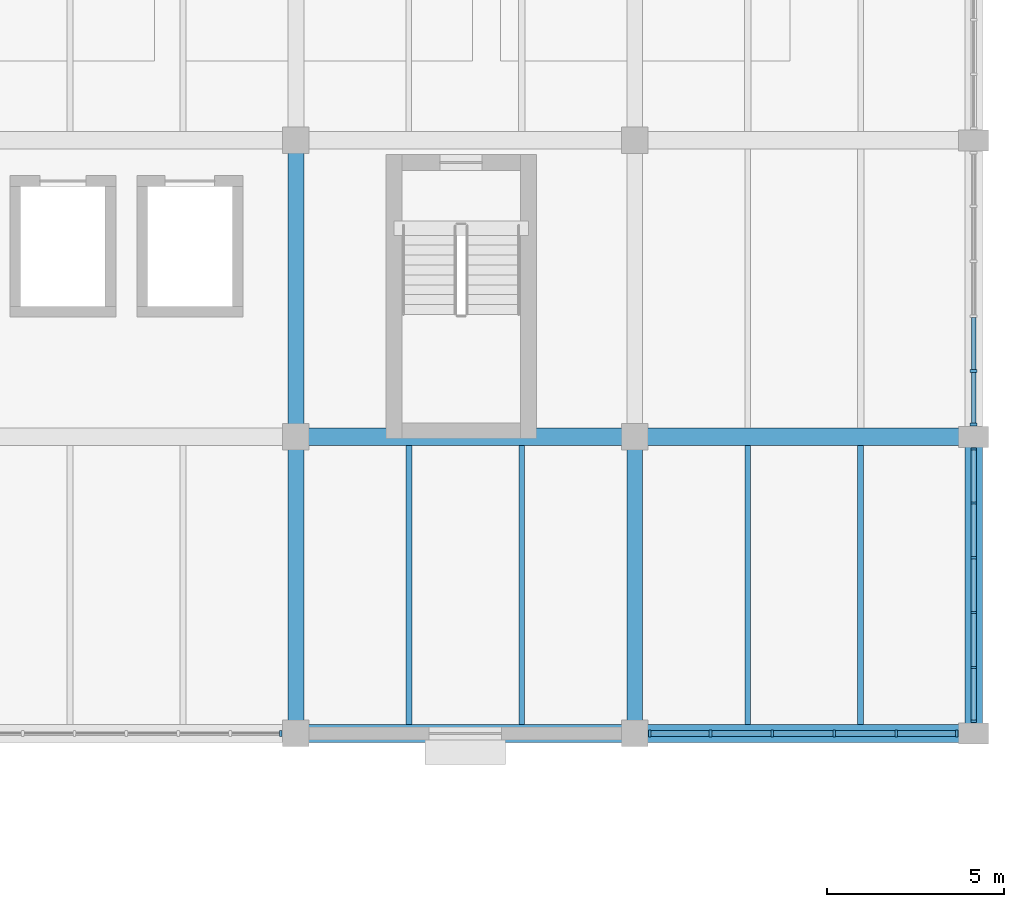
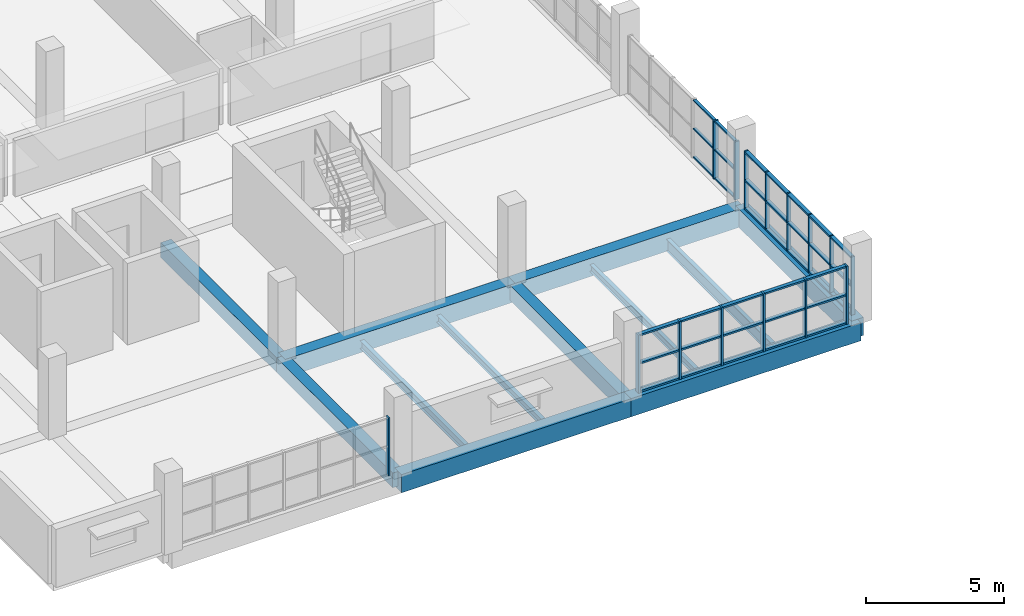
# One storey, part 83 of 147: 51 members, 12 beams, 4 elements without a shape of their own.
"""IFC4 building model written with IfcOpenShell, lengths in metres."""

from ifc_helpers import new_model, si_unit, direction, frame, origin, origin_2d, place, context, subcontext, project, spatial, rectangle, i_section, extrude, material, material_profile, profile_set, type_object, element, aggregate, save


model = new_model("IFC4")

# Units and contexts
model_context = context("Model", 3, precision=1e-05, world=origin(), true_north=direction((0.0, 1.0)))
body_context = subcontext(model_context, "Body", "Model", "MODEL_VIEW")
ifc_project = project(units=[si_unit("LENGTHUNIT", "METRE"), si_unit("AREAUNIT", "SQUARE_METRE"), si_unit("VOLUMEUNIT", "CUBIC_METRE"), si_unit("PLANEANGLEUNIT", "RADIAN"), si_unit("MASSUNIT", "GRAM", prefix="KILO")], contexts=[model_context])

# Site, building, storey
site_placement = place(None, origin())
site = spatial("IfcSite", under=ifc_project, at=site_placement, CompositionType="ELEMENT")
building_placement = place(site_placement, origin())
building = spatial("IfcBuilding", under=site, at=building_placement, Name="Oolite Switchyard Hospital", CompositionType="ELEMENT")
storey_placement = place(building_placement, frame((0.0, 0.0, 9.89990234375)))
storey = spatial("IfcBuildingStorey", under=building, at=storey_placement, Name="L02", CompositionType="ELEMENT", Elevation=9.89990234375)

# Beams
ifc_material_1 = material(Name="Concrete C40/50", Category="concrete")
ifc_material_profile_1 = material_profile(ifc_material_1, rectangle(XDim=0.449951171875, YDim=0.64990234375, at=origin_2d()), Name="RCB450X650")
ifc_profile_set_1 = profile_set([ifc_material_profile_1], Name="Concrete C40/50")
beam_type_1 = type_object("IfcBeamType", Name="BM-RC450X650", PredefinedType="BEAM", material=ifc_profile_set_1)
beam_1_placement = place(storey_placement, frame((192.0, 100.800048828125, -0.324951171875), z_axis=(0.0, 1.0, 0.0), x_axis=(-1.0, 0.0, 0.0)))
element("IfcBeam", 1, at=beam_1_placement, inside=storey, type_object=beam_type_1, Name="L02 Y-Girder 1487", PredefinedType="BEAM", context=body_context, shape_type="SweptSolid", body=[
    extrude(rectangle(XDim=0.449951171875, YDim=0.64990234375, at=origin_2d()), origin(), (0.0, 0.0, 1.0), 8.39990234375),
])
beam_2_placement = place(storey_placement, frame((192.0, 109.199951171875, -0.324951171875), z_axis=(0.0, 1.0, 0.0), x_axis=(-1.0, 0.0, 0.0)))
element("IfcBeam", 2, at=beam_2_placement, inside=storey, type_object=beam_type_1, Name="L02 Y-Girder 1488", PredefinedType="BEAM", context=body_context, shape_type="SweptSolid", body=[
    extrude(rectangle(XDim=0.449951171875, YDim=0.64990234375, at=origin_2d()), origin(), (0.0, 0.0, 1.0), 8.400146484375),
])
beam_3_placement = place(storey_placement, frame((201.60009765625, 100.800048828125, -0.324951171875), z_axis=(0.0, 1.0, 0.0), x_axis=(-1.0, 0.0, 0.0)))
element("IfcBeam", 3, at=beam_3_placement, inside=storey, type_object=beam_type_1, Name="L02 Y-Girder 1499", PredefinedType="BEAM", context=body_context, shape_type="SweptSolid", body=[
    extrude(rectangle(XDim=0.449951171875, YDim=0.64990234375, at=origin_2d()), origin(), (0.0, 0.0, 1.0), 8.39990234375),
])
ifc_material_profile_2 = material_profile(ifc_material_1, rectangle(XDim=0.5, YDim=0.800048828125, at=origin_2d()), Name="RCB500X800")
ifc_profile_set_2 = profile_set([ifc_material_profile_2], Name="Concrete C40/50")
beam_type_2 = type_object("IfcBeamType", Name="BM-RC500X800", PredefinedType="BEAM", material=ifc_profile_set_2)
beam_4_placement = place(storey_placement, frame((192.0, 100.800048828125, -0.39990234375), z_axis=(1.0, 0.0, 0.0), x_axis=(0.0, 1.0, 0.0)))
element("IfcBeam", 4, at=beam_4_placement, inside=storey, type_object=beam_type_2, Name="L02 X-Girder 1179", PredefinedType="BEAM", context=body_context, shape_type="SweptSolid", body=[
    extrude(rectangle(XDim=0.5, YDim=0.800048828125, at=origin_2d()), origin(), (0.0, 0.0, 1.0), 9.60009765625),
])
beam_5_placement = place(storey_placement, frame((201.60009765625, 100.800048828125, -0.39990234375), z_axis=(1.0, 0.0, 0.0), x_axis=(0.0, 1.0, 0.0)))
element("IfcBeam", 5, at=beam_5_placement, inside=storey, type_object=beam_type_2, Name="L02 X-Girder 1180", PredefinedType="BEAM", context=body_context, shape_type="SweptSolid", body=[
    extrude(rectangle(XDim=0.5, YDim=0.800048828125, at=origin_2d()), origin(), (0.0, 0.0, 1.0), 9.599853515625),
])
beam_6_placement = place(storey_placement, frame((192.0, 109.199951171875, -0.39990234375), z_axis=(1.0, 0.0, 0.0), x_axis=(0.0, 1.0, 0.0)))
element("IfcBeam", 6, at=beam_6_placement, inside=storey, type_object=beam_type_2, Name="L02 X-Girder 1201", PredefinedType="BEAM", context=body_context, shape_type="SweptSolid", body=[
    extrude(rectangle(XDim=0.5, YDim=0.800048828125, at=origin_2d()), origin(), (0.0, 0.0, 1.0), 9.60009765625),
])
beam_7_placement = place(storey_placement, frame((201.60009765625, 109.199951171875, -0.39990234375), z_axis=(1.0, 0.0, 0.0), x_axis=(0.0, 1.0, 0.0)))
element("IfcBeam", 7, at=beam_7_placement, inside=storey, type_object=beam_type_2, Name="L02 X-Girder 1202", PredefinedType="BEAM", context=body_context, shape_type="SweptSolid", body=[
    extrude(rectangle(XDim=0.5, YDim=0.800048828125, at=origin_2d()), origin(), (0.0, 0.0, 1.0), 9.599853515625),
])
beam_8_placement = place(storey_placement, frame((211.199951171875, 100.800048828125, -0.39990234375), z_axis=(0.0, 1.0, 0.0), x_axis=(-1.0, 0.0, 0.0)))
element("IfcBeam", 8, at=beam_8_placement, inside=storey, type_object=beam_type_2, Name="L02 Y-Girder 1508", PredefinedType="BEAM", context=body_context, shape_type="SweptSolid", body=[
    extrude(rectangle(XDim=0.5, YDim=0.800048828125, at=origin_2d()), origin(), (0.0, 0.0, 1.0), 8.39990234375),
])
ifc_material_2 = material(Name="Steel ASTM A992 Grade 50", Category="steel")
ifc_material_profile_3 = material_profile(ifc_material_2, i_section(OverallWidth=0.1650390625, OverallDepth=0.31005859375, WebThickness=0.006103515625, FlangeThickness=0.010009765625, at=origin_2d()), Name="W12X26")
ifc_profile_set_3 = profile_set([ifc_material_profile_3], Name="Steel ASTM A992 Grade 50")
beam_type_3 = type_object("IfcBeamType", Name="BM-W12X26", PredefinedType="JOIST", material=ifc_profile_set_3)
for number, where, z_axis, x_axis, name in (
    (9, (198.39990234375, 101.050048828125, -0.414794921875), (0.0, 1.0, 0.0), (-1.0, 0.0, 0.0), "L02 Secondary Steel Joist 1905"),
    (10, (204.800048828125, 101.050048828125, -0.414794921875), (0.0, 1.0, 0.0), (-1.0, 0.0, 0.0), "L02 Secondary Steel Joist 1918"),
):
    element("IfcBeam", number, at=place(storey_placement, frame(where, z_axis=z_axis, x_axis=x_axis)), inside=storey, type_object=beam_type_3, Name=name, PredefinedType="JOIST", context=body_context, shape_type="SweptSolid", body=[
        extrude(i_section(OverallWidth=0.1650390625, OverallDepth=0.31005859375, WebThickness=0.006103515625, FlangeThickness=0.010009765625, at=origin_2d()), origin(), (0.0, 0.0, 1.0), 7.89990234375),
    ])
ifc_material_profile_4 = material_profile(ifc_material_2, i_section(OverallWidth=0.1708984375, OverallDepth=0.35107421875, WebThickness=0.007080078125, FlangeThickness=0.010009765625, at=origin_2d()), Name="W14X30")
ifc_profile_set_4 = profile_set([ifc_material_profile_4], Name="Steel ASTM A992 Grade 50")
beam_type_4 = type_object("IfcBeamType", Name="BM-W14X30", PredefinedType="JOIST", material=ifc_profile_set_4)
beam_9_placement = place(storey_placement, frame((195.199951171875, 101.050048828125, -0.434814453125), z_axis=(0.0, 1.0, 0.0), x_axis=(-1.0, 0.0, 0.0)))
element("IfcBeam", 11, at=beam_9_placement, inside=storey, type_object=beam_type_4, Name="L02 Secondary Steel Joist 1904", PredefinedType="JOIST", context=body_context, shape_type="SweptSolid", body=[
    extrude(i_section(OverallWidth=0.1708984375, OverallDepth=0.35107421875, WebThickness=0.007080078125, FlangeThickness=0.010009765625, at=origin_2d()), origin(), (0.0, 0.0, 1.0), 7.89990234375),
])
ifc_material_profile_5 = material_profile(ifc_material_2, i_section(OverallWidth=0.166015625, OverallDepth=0.529052734375, WebThickness=0.010009765625, FlangeThickness=0.013916015625, at=origin_2d()), Name="W21X50")
ifc_profile_set_5 = profile_set([ifc_material_profile_5], Name="Steel ASTM A992 Grade 50")
beam_type_5 = type_object("IfcBeamType", Name="BM-W21X50", PredefinedType="JOIST", material=ifc_profile_set_5)
beam_10_placement = place(storey_placement, frame((208.0, 101.050048828125, -0.52392578125), z_axis=(0.0, 1.0, 0.0), x_axis=(-1.0, 0.0, 0.0)))
element("IfcBeam", 12, at=beam_10_placement, inside=storey, type_object=beam_type_5, Name="L02 Secondary Steel Joist 1919", PredefinedType="JOIST", context=body_context, shape_type="SweptSolid", body=[
    extrude(i_section(OverallWidth=0.166015625, OverallDepth=0.529052734375, WebThickness=0.010009765625, FlangeThickness=0.013916015625, at=origin_2d()), origin(), (0.0, 0.0, 1.0), 7.89990234375),
])

# Curtain wall, members
ifc_material_3 = material(Name="Thermally broken aluminum frame with laminated impact glazing", Category="aluminium")
curtain_wall_type_1 = type_object("IfcCurtainWallType", Name="CW-UNIT-84X36", PredefinedType="USERDEFINED", material=ifc_material_3)
curtain_wall_1_placement = place(storey_placement, origin())
curtain_wall_1 = element("IfcCurtainWall", 13, at=curtain_wall_1_placement, inside=storey, type_object=curtain_wall_type_1, Name="L02 Unitised Curtain Wall 325", ObjectType="UNITISED", PredefinedType="USERDEFINED")
ifc_material_4 = material(Name="Aluminium 6063-T6", Category="aluminium")
ifc_material_profile_6 = material_profile(ifc_material_4, rectangle(XDim=0.159912109375, YDim=0.06005859375, at=origin_2d()), Name="CWM60X160")
ifc_profile_set_6 = profile_set([ifc_material_profile_6], Name="Aluminium 6063-T6")
member_type_1 = type_object("IfcMemberType", Name="CW-MUL-180", PredefinedType="MULLION", material=ifc_profile_set_6)
member_1_placement = place(storey_placement, frame((211.199951171875, 108.85498046875, 0.0), z_axis=(0.0, 0.0, 1.0), x_axis=(1.0, 0.0, 0.0)))
member_1 = element("IfcMember", 14, at=member_1_placement, type_object=member_type_1, Name="CW-08 mullion 1", PredefinedType="MULLION", context=body_context, shape_type="SweptSolid", body=[
    extrude(rectangle(XDim=0.159912109375, YDim=0.06005859375, at=origin_2d()), origin(), (0.0, 0.0, 1.0), 2.570068359375),
])
member_2_placement = place(storey_placement, frame((211.199951171875, 107.3310546875, 0.0), z_axis=(0.0, 0.0, 1.0), x_axis=(1.0, 0.0, 0.0)))
member_2 = element("IfcMember", 15, at=member_2_placement, type_object=member_type_1, Name="CW-08 mullion 2", PredefinedType="MULLION", context=body_context, shape_type="SweptSolid", body=[
    extrude(rectangle(XDim=0.159912109375, YDim=0.06005859375, at=origin_2d()), origin(), (0.0, 0.0, 1.0), 2.570068359375),
])
member_3_placement = place(storey_placement, frame((211.199951171875, 105.777099609375, 0.0), z_axis=(0.0, 0.0, 1.0), x_axis=(1.0, 0.0, 0.0)))
member_3 = element("IfcMember", 16, at=member_3_placement, type_object=member_type_1, Name="CW-08 mullion 3", PredefinedType="MULLION", context=body_context, shape_type="SweptSolid", body=[
    extrude(rectangle(XDim=0.159912109375, YDim=0.06005859375, at=origin_2d()), origin(), (0.0, 0.0, 1.0), 2.570068359375),
])
member_4_placement = place(storey_placement, frame((211.199951171875, 104.222900390625, 0.0), z_axis=(0.0, 0.0, 1.0), x_axis=(1.0, 0.0, 0.0)))
member_4 = element("IfcMember", 17, at=member_4_placement, type_object=member_type_1, Name="CW-08 mullion 4", PredefinedType="MULLION", context=body_context, shape_type="SweptSolid", body=[
    extrude(rectangle(XDim=0.159912109375, YDim=0.06005859375, at=origin_2d()), origin(), (0.0, 0.0, 1.0), 2.570068359375),
])
member_5_placement = place(storey_placement, frame((211.199951171875, 102.6689453125, 0.0), z_axis=(0.0, 0.0, 1.0), x_axis=(1.0, 0.0, 0.0)))
member_5 = element("IfcMember", 18, at=member_5_placement, type_object=member_type_1, Name="CW-08 mullion 5", PredefinedType="MULLION", context=body_context, shape_type="SweptSolid", body=[
    extrude(rectangle(XDim=0.159912109375, YDim=0.06005859375, at=origin_2d()), origin(), (0.0, 0.0, 1.0), 2.570068359375),
])
member_6_placement = place(storey_placement, frame((211.199951171875, 101.14501953125, 0.0), z_axis=(0.0, 0.0, 1.0), x_axis=(1.0, 0.0, 0.0)))
member_6 = element("IfcMember", 19, at=member_6_placement, type_object=member_type_1, Name="CW-08 mullion 6", PredefinedType="MULLION", context=body_context, shape_type="SweptSolid", body=[
    extrude(rectangle(XDim=0.159912109375, YDim=0.06005859375, at=origin_2d()), origin(), (0.0, 0.0, 1.0), 2.570068359375),
])

# Curtain wall, member
curtain_wall_type_2 = type_object("IfcCurtainWallType", Name="CW-UNIT-96X36", PredefinedType="USERDEFINED", material=ifc_material_3)
curtain_wall_2_placement = place(storey_placement, origin())
curtain_wall_2 = element("IfcCurtainWall", 20, at=curtain_wall_2_placement, inside=storey, type_object=curtain_wall_type_2, Name="L02 Unitised Curtain Wall 260", ObjectType="UNITISED", PredefinedType="USERDEFINED")
ifc_material_profile_7 = material_profile(ifc_material_4, rectangle(XDim=0.179931640625, YDim=0.070068359375, at=origin_2d()), Name="CWM70X180")
ifc_profile_set_7 = profile_set([ifc_material_profile_7], Name="Aluminium 6063-T6")
member_type_2 = type_object("IfcMemberType", Name="CW-MUL-220", PredefinedType="MULLION", material=ifc_profile_set_7)
member_7_placement = place(storey_placement, frame((191.574951171875, 100.800048828125, 0.0), z_axis=(0.0, 0.0, 1.0), x_axis=(0.0, -1.0, 0.0)))
member_7 = element("IfcMember", 21, at=member_7_placement, type_object=member_type_2, Name="CW-03 mullion 1", PredefinedType="MULLION", context=body_context, shape_type="SweptSolid", body=[
    extrude(rectangle(XDim=0.179931640625, YDim=0.070068359375, at=origin_2d()), origin(), (0.0, 0.0, 1.0), 2.570068359375),
])
aggregate(curtain_wall_2, [member_7])

# Curtain wall, members
curtain_wall_3_placement = place(storey_placement, origin())
curtain_wall_3 = element("IfcCurtainWall", 22, at=curtain_wall_3_placement, inside=storey, type_object=curtain_wall_type_2, Name="L02 Unitised Curtain Wall 261", ObjectType="UNITISED", PredefinedType="USERDEFINED")
ifc_material_profile_8 = material_profile(ifc_material_4, rectangle(XDim=0.199951171875, YDim=0.074951171875, at=origin_2d()), Name="CWM75X200")
ifc_profile_set_8 = profile_set([ifc_material_profile_8], Name="Aluminium 6063-T6")
member_type_3 = type_object("IfcMemberType", Name="CW-MUL-260", PredefinedType="MULLION", material=ifc_profile_set_8)
member_8_placement = place(storey_placement, frame((210.722412109375, 100.800048828125, 0.0), z_axis=(0.0, 0.0, 1.0), x_axis=(0.0, -1.0, 0.0)))
member_8 = element("IfcMember", 23, at=member_8_placement, type_object=member_type_3, Name="CW-03 mullion 1", PredefinedType="MULLION", context=body_context, shape_type="SweptSolid", body=[
    extrude(rectangle(XDim=0.199951171875, YDim=0.074951171875, at=origin_2d()), origin(), (0.0, 0.0, 1.0), 2.570068359375),
])
member_9_placement = place(storey_placement, frame((209.006103515625, 100.800048828125, 0.0), z_axis=(0.0, 0.0, 1.0), x_axis=(0.0, -1.0, 0.0)))
member_9 = element("IfcMember", 24, at=member_9_placement, type_object=member_type_3, Name="CW-03 mullion 2", PredefinedType="MULLION", context=body_context, shape_type="SweptSolid", body=[
    extrude(rectangle(XDim=0.199951171875, YDim=0.074951171875, at=origin_2d()), origin(), (0.0, 0.0, 1.0), 2.570068359375),
])
member_10_placement = place(storey_placement, frame((207.251953125, 100.800048828125, 0.0), z_axis=(0.0, 0.0, 1.0), x_axis=(0.0, -1.0, 0.0)))
member_10 = element("IfcMember", 25, at=member_10_placement, type_object=member_type_3, Name="CW-03 mullion 3", PredefinedType="MULLION", context=body_context, shape_type="SweptSolid", body=[
    extrude(rectangle(XDim=0.199951171875, YDim=0.074951171875, at=origin_2d()), origin(), (0.0, 0.0, 1.0), 2.570068359375),
])
member_11_placement = place(storey_placement, frame((205.498046875, 100.800048828125, 0.0), z_axis=(0.0, 0.0, 1.0), x_axis=(0.0, -1.0, 0.0)))
member_11 = element("IfcMember", 26, at=member_11_placement, type_object=member_type_3, Name="CW-03 mullion 4", PredefinedType="MULLION", context=body_context, shape_type="SweptSolid", body=[
    extrude(rectangle(XDim=0.199951171875, YDim=0.074951171875, at=origin_2d()), origin(), (0.0, 0.0, 1.0), 2.570068359375),
])
member_12_placement = place(storey_placement, frame((203.743896484375, 100.800048828125, 0.0), z_axis=(0.0, 0.0, 1.0), x_axis=(0.0, -1.0, 0.0)))
member_12 = element("IfcMember", 27, at=member_12_placement, type_object=member_type_3, Name="CW-03 mullion 5", PredefinedType="MULLION", context=body_context, shape_type="SweptSolid", body=[
    extrude(rectangle(XDim=0.199951171875, YDim=0.074951171875, at=origin_2d()), origin(), (0.0, 0.0, 1.0), 2.570068359375),
])
member_13_placement = place(storey_placement, frame((202.027587890625, 100.800048828125, 0.0), z_axis=(0.0, 0.0, 1.0), x_axis=(0.0, -1.0, 0.0)))
member_13 = element("IfcMember", 28, at=member_13_placement, type_object=member_type_3, Name="CW-03 mullion 6", PredefinedType="MULLION", context=body_context, shape_type="SweptSolid", body=[
    extrude(rectangle(XDim=0.199951171875, YDim=0.074951171875, at=origin_2d()), origin(), (0.0, 0.0, 1.0), 2.570068359375),
])

curtain_wall_4_placement = place(storey_placement, origin())
curtain_wall_4 = element("IfcCurtainWall", 29, at=curtain_wall_4_placement, inside=storey, type_object=curtain_wall_type_1, Name="L02 Unitised Curtain Wall 324", ObjectType="UNITISED", PredefinedType="USERDEFINED")
member_14_placement = place(storey_placement, frame((211.199951171875, 111.069091796875, 0.0), z_axis=(0.0, 0.0, 1.0), x_axis=(1.0, 0.0, 0.0)))
member_14 = element("IfcMember", 30, at=member_14_placement, type_object=member_type_3, Name="CW-08 mullion 5", PredefinedType="MULLION", context=body_context, shape_type="SweptSolid", body=[
    extrude(rectangle(XDim=0.199951171875, YDim=0.074951171875, at=origin_2d()), origin(), (0.0, 0.0, 1.0), 2.570068359375),
])
member_15_placement = place(storey_placement, frame((211.199951171875, 109.552490234375, 0.0), z_axis=(0.0, 0.0, 1.0), x_axis=(1.0, 0.0, 0.0)))
member_15 = element("IfcMember", 31, at=member_15_placement, type_object=member_type_3, Name="CW-08 mullion 6", PredefinedType="MULLION", context=body_context, shape_type="SweptSolid", body=[
    extrude(rectangle(XDim=0.199951171875, YDim=0.074951171875, at=origin_2d()), origin(), (0.0, 0.0, 1.0), 2.570068359375),
])
ifc_material_profile_9 = material_profile(ifc_material_4, rectangle(XDim=0.1201171875, YDim=0.06005859375, at=origin_2d()), Name="CWT60X120")
ifc_profile_set_9 = profile_set([ifc_material_profile_9], Name="Aluminium 6063-T6")
member_type_4 = type_object("IfcMemberType", Name="CW-TRN-150", PredefinedType="USERDEFINED", material=ifc_profile_set_9)
member_16_placement = place(storey_placement, frame((211.199951171875, 112.58544921875, 0.030029296875), z_axis=(0.0, -1.0, 0.0), x_axis=(1.0, 0.0, 0.0)))
member_16 = element("IfcMember", 32, at=member_16_placement, type_object=member_type_4, Name="CW-08 transom 4.1", ObjectType="TRANSOM", PredefinedType="USERDEFINED", context=body_context, shape_type="SweptSolid", body=[
    extrude(rectangle(XDim=0.1201171875, YDim=0.06005859375, at=origin_2d()), origin(), (0.0, 0.0, 1.0), 1.47900390625),
])
member_17_placement = place(storey_placement, frame((211.199951171875, 112.58544921875, 1.28515625), z_axis=(0.0, -1.0, 0.0), x_axis=(1.0, 0.0, 0.0)))
member_17 = element("IfcMember", 33, at=member_17_placement, type_object=member_type_4, Name="CW-08 transom 4.2", ObjectType="TRANSOM", PredefinedType="USERDEFINED", context=body_context, shape_type="SweptSolid", body=[
    extrude(rectangle(XDim=0.1201171875, YDim=0.06005859375, at=origin_2d()), origin(), (0.0, 0.0, 1.0), 1.47900390625),
])
member_18_placement = place(storey_placement, frame((211.199951171875, 112.58544921875, 2.5400390625), z_axis=(0.0, -1.0, 0.0), x_axis=(1.0, 0.0, 0.0)))
member_18 = element("IfcMember", 34, at=member_18_placement, type_object=member_type_4, Name="CW-08 transom 4.3", ObjectType="TRANSOM", PredefinedType="USERDEFINED", context=body_context, shape_type="SweptSolid", body=[
    extrude(rectangle(XDim=0.1201171875, YDim=0.06005859375, at=origin_2d()), origin(), (0.0, 0.0, 1.0), 1.47900390625),
])
member_19_placement = place(storey_placement, frame((211.199951171875, 111.031494140625, 0.030029296875), z_axis=(0.0, -1.0, 0.0), x_axis=(1.0, 0.0, 0.0)))
member_19 = element("IfcMember", 35, at=member_19_placement, type_object=member_type_4, Name="CW-08 transom 5.1", ObjectType="TRANSOM", PredefinedType="USERDEFINED", context=body_context, shape_type="SweptSolid", body=[
    extrude(rectangle(XDim=0.1201171875, YDim=0.06005859375, at=origin_2d()), origin(), (0.0, 0.0, 1.0), 1.44140625),
])
member_20_placement = place(storey_placement, frame((211.199951171875, 111.031494140625, 1.28515625), z_axis=(0.0, -1.0, 0.0), x_axis=(1.0, 0.0, 0.0)))
member_20 = element("IfcMember", 36, at=member_20_placement, type_object=member_type_4, Name="CW-08 transom 5.2", ObjectType="TRANSOM", PredefinedType="USERDEFINED", context=body_context, shape_type="SweptSolid", body=[
    extrude(rectangle(XDim=0.1201171875, YDim=0.06005859375, at=origin_2d()), origin(), (0.0, 0.0, 1.0), 1.44140625),
])
member_21_placement = place(storey_placement, frame((211.199951171875, 111.031494140625, 2.5400390625), z_axis=(0.0, -1.0, 0.0), x_axis=(1.0, 0.0, 0.0)))
member_21 = element("IfcMember", 37, at=member_21_placement, type_object=member_type_4, Name="CW-08 transom 5.3", ObjectType="TRANSOM", PredefinedType="USERDEFINED", context=body_context, shape_type="SweptSolid", body=[
    extrude(rectangle(XDim=0.1201171875, YDim=0.06005859375, at=origin_2d()), origin(), (0.0, 0.0, 1.0), 1.44140625),
])
aggregate(curtain_wall_4, [member_14, member_15, member_16, member_17, member_18, member_19, member_20, member_21])

# Member
ifc_material_profile_10 = material_profile(ifc_material_4, rectangle(XDim=0.159912109375, YDim=0.074951171875, at=origin_2d()), Name="CWT75X160")
ifc_profile_set_10 = profile_set([ifc_material_profile_10], Name="Aluminium 6063-T6")
member_type_5 = type_object("IfcMemberType", Name="CW-TRN-180", PredefinedType="USERDEFINED", material=ifc_profile_set_10)
member_22_placement = place(storey_placement, frame((210.68505859375, 100.800048828125, 0.03759765625), z_axis=(-1.0, 0.0, 0.0), x_axis=(0.0, -1.0, 0.0)))
member_22 = element("IfcMember", 38, at=member_22_placement, type_object=member_type_5, Name="CW-03 transom 1.1", ObjectType="TRANSOM", PredefinedType="USERDEFINED", context=body_context, shape_type="SweptSolid", body=[
    extrude(rectangle(XDim=0.159912109375, YDim=0.074951171875, at=origin_2d()), origin(), (0.0, 0.0, 1.0), 1.6416015625),
])

member_23_placement = place(storey_placement, frame((210.68505859375, 100.800048828125, 1.28515625), z_axis=(-1.0, 0.0, 0.0), x_axis=(0.0, -1.0, 0.0)))
member_23 = element("IfcMember", 39, at=member_23_placement, type_object=member_type_5, Name="CW-03 transom 1.2", ObjectType="TRANSOM", PredefinedType="USERDEFINED", context=body_context, shape_type="SweptSolid", body=[
    extrude(rectangle(XDim=0.159912109375, YDim=0.074951171875, at=origin_2d()), origin(), (0.0, 0.0, 1.0), 1.6416015625),
])

member_24_placement = place(storey_placement, frame((210.68505859375, 100.800048828125, 2.53271484375), z_axis=(-1.0, 0.0, 0.0), x_axis=(0.0, -1.0, 0.0)))
member_24 = element("IfcMember", 40, at=member_24_placement, type_object=member_type_5, Name="CW-03 transom 1.3", ObjectType="TRANSOM", PredefinedType="USERDEFINED", context=body_context, shape_type="SweptSolid", body=[
    extrude(rectangle(XDim=0.159912109375, YDim=0.074951171875, at=origin_2d()), origin(), (0.0, 0.0, 1.0), 1.6416015625),
])

member_25_placement = place(storey_placement, frame((208.968505859375, 100.800048828125, 0.03759765625), z_axis=(-1.0, 0.0, 0.0), x_axis=(0.0, -1.0, 0.0)))
member_25 = element("IfcMember", 41, at=member_25_placement, type_object=member_type_5, Name="CW-03 transom 2.1", ObjectType="TRANSOM", PredefinedType="USERDEFINED", context=body_context, shape_type="SweptSolid", body=[
    extrude(rectangle(XDim=0.159912109375, YDim=0.074951171875, at=origin_2d()), origin(), (0.0, 0.0, 1.0), 1.678955078125),
])

member_26_placement = place(storey_placement, frame((208.968505859375, 100.800048828125, 1.28515625), z_axis=(-1.0, 0.0, 0.0), x_axis=(0.0, -1.0, 0.0)))
member_26 = element("IfcMember", 42, at=member_26_placement, type_object=member_type_5, Name="CW-03 transom 2.2", ObjectType="TRANSOM", PredefinedType="USERDEFINED", context=body_context, shape_type="SweptSolid", body=[
    extrude(rectangle(XDim=0.159912109375, YDim=0.074951171875, at=origin_2d()), origin(), (0.0, 0.0, 1.0), 1.678955078125),
])

member_27_placement = place(storey_placement, frame((208.968505859375, 100.800048828125, 2.53271484375), z_axis=(-1.0, 0.0, 0.0), x_axis=(0.0, -1.0, 0.0)))
member_27 = element("IfcMember", 43, at=member_27_placement, type_object=member_type_5, Name="CW-03 transom 2.3", ObjectType="TRANSOM", PredefinedType="USERDEFINED", context=body_context, shape_type="SweptSolid", body=[
    extrude(rectangle(XDim=0.159912109375, YDim=0.074951171875, at=origin_2d()), origin(), (0.0, 0.0, 1.0), 1.678955078125),
])

member_28_placement = place(storey_placement, frame((207.214599609375, 100.800048828125, 0.03759765625), z_axis=(-1.0, 0.0, 0.0), x_axis=(0.0, -1.0, 0.0)))
member_28 = element("IfcMember", 44, at=member_28_placement, type_object=member_type_5, Name="CW-03 transom 3.1", ObjectType="TRANSOM", PredefinedType="USERDEFINED", context=body_context, shape_type="SweptSolid", body=[
    extrude(rectangle(XDim=0.159912109375, YDim=0.074951171875, at=origin_2d()), origin(), (0.0, 0.0, 1.0), 1.67919921875),
])

member_29_placement = place(storey_placement, frame((207.214599609375, 100.800048828125, 1.28515625), z_axis=(-1.0, 0.0, 0.0), x_axis=(0.0, -1.0, 0.0)))
member_29 = element("IfcMember", 45, at=member_29_placement, type_object=member_type_5, Name="CW-03 transom 3.2", ObjectType="TRANSOM", PredefinedType="USERDEFINED", context=body_context, shape_type="SweptSolid", body=[
    extrude(rectangle(XDim=0.159912109375, YDim=0.074951171875, at=origin_2d()), origin(), (0.0, 0.0, 1.0), 1.67919921875),
])

member_30_placement = place(storey_placement, frame((207.214599609375, 100.800048828125, 2.53271484375), z_axis=(-1.0, 0.0, 0.0), x_axis=(0.0, -1.0, 0.0)))
member_30 = element("IfcMember", 46, at=member_30_placement, type_object=member_type_5, Name="CW-03 transom 3.3", ObjectType="TRANSOM", PredefinedType="USERDEFINED", context=body_context, shape_type="SweptSolid", body=[
    extrude(rectangle(XDim=0.159912109375, YDim=0.074951171875, at=origin_2d()), origin(), (0.0, 0.0, 1.0), 1.67919921875),
])

member_31_placement = place(storey_placement, frame((205.46044921875, 100.800048828125, 0.03759765625), z_axis=(-1.0, 0.0, 0.0), x_axis=(0.0, -1.0, 0.0)))
member_31 = element("IfcMember", 47, at=member_31_placement, type_object=member_type_5, Name="CW-03 transom 4.1", ObjectType="TRANSOM", PredefinedType="USERDEFINED", context=body_context, shape_type="SweptSolid", body=[
    extrude(rectangle(XDim=0.159912109375, YDim=0.074951171875, at=origin_2d()), origin(), (0.0, 0.0, 1.0), 1.678955078125),
])

member_32_placement = place(storey_placement, frame((205.46044921875, 100.800048828125, 1.28515625), z_axis=(-1.0, 0.0, 0.0), x_axis=(0.0, -1.0, 0.0)))
member_32 = element("IfcMember", 48, at=member_32_placement, type_object=member_type_5, Name="CW-03 transom 4.2", ObjectType="TRANSOM", PredefinedType="USERDEFINED", context=body_context, shape_type="SweptSolid", body=[
    extrude(rectangle(XDim=0.159912109375, YDim=0.074951171875, at=origin_2d()), origin(), (0.0, 0.0, 1.0), 1.678955078125),
])

member_33_placement = place(storey_placement, frame((205.46044921875, 100.800048828125, 2.53271484375), z_axis=(-1.0, 0.0, 0.0), x_axis=(0.0, -1.0, 0.0)))
member_33 = element("IfcMember", 49, at=member_33_placement, type_object=member_type_5, Name="CW-03 transom 4.3", ObjectType="TRANSOM", PredefinedType="USERDEFINED", context=body_context, shape_type="SweptSolid", body=[
    extrude(rectangle(XDim=0.159912109375, YDim=0.074951171875, at=origin_2d()), origin(), (0.0, 0.0, 1.0), 1.678955078125),
])

member_34_placement = place(storey_placement, frame((203.70654296875, 100.800048828125, 0.03759765625), z_axis=(-1.0, 0.0, 0.0), x_axis=(0.0, -1.0, 0.0)))
member_34 = element("IfcMember", 50, at=member_34_placement, type_object=member_type_5, Name="CW-03 transom 5.1", ObjectType="TRANSOM", PredefinedType="USERDEFINED", context=body_context, shape_type="SweptSolid", body=[
    extrude(rectangle(XDim=0.159912109375, YDim=0.074951171875, at=origin_2d()), origin(), (0.0, 0.0, 1.0), 1.6416015625),
])

member_35_placement = place(storey_placement, frame((203.70654296875, 100.800048828125, 1.28515625), z_axis=(-1.0, 0.0, 0.0), x_axis=(0.0, -1.0, 0.0)))
member_35 = element("IfcMember", 51, at=member_35_placement, type_object=member_type_5, Name="CW-03 transom 5.2", ObjectType="TRANSOM", PredefinedType="USERDEFINED", context=body_context, shape_type="SweptSolid", body=[
    extrude(rectangle(XDim=0.159912109375, YDim=0.074951171875, at=origin_2d()), origin(), (0.0, 0.0, 1.0), 1.6416015625),
])

member_36_placement = place(storey_placement, frame((203.70654296875, 100.800048828125, 2.53271484375), z_axis=(-1.0, 0.0, 0.0), x_axis=(0.0, -1.0, 0.0)))
member_36 = element("IfcMember", 52, at=member_36_placement, type_object=member_type_5, Name="CW-03 transom 5.3", ObjectType="TRANSOM", PredefinedType="USERDEFINED", context=body_context, shape_type="SweptSolid", body=[
    extrude(rectangle(XDim=0.159912109375, YDim=0.074951171875, at=origin_2d()), origin(), (0.0, 0.0, 1.0), 1.6416015625),
])

aggregate(curtain_wall_3, [member_8, member_9, member_10, member_11, member_12, member_13, member_22, member_23, member_24, member_25, member_26, member_27, member_28, member_29, member_30, member_31, member_32, member_33, member_34, member_35, member_36])

member_37_placement = place(storey_placement, frame((211.199951171875, 108.824951171875, 0.03759765625), z_axis=(0.0, -1.0, 0.0), x_axis=(1.0, 0.0, 0.0)))
member_37 = element("IfcMember", 53, at=member_37_placement, type_object=member_type_5, Name="CW-08 transom 1.1", ObjectType="TRANSOM", PredefinedType="USERDEFINED", context=body_context, shape_type="SweptSolid", body=[
    extrude(rectangle(XDim=0.159912109375, YDim=0.074951171875, at=origin_2d()), origin(), (0.0, 0.0, 1.0), 1.4638671875),
])

member_38_placement = place(storey_placement, frame((211.199951171875, 108.824951171875, 1.28515625), z_axis=(0.0, -1.0, 0.0), x_axis=(1.0, 0.0, 0.0)))
member_38 = element("IfcMember", 54, at=member_38_placement, type_object=member_type_5, Name="CW-08 transom 1.2", ObjectType="TRANSOM", PredefinedType="USERDEFINED", context=body_context, shape_type="SweptSolid", body=[
    extrude(rectangle(XDim=0.159912109375, YDim=0.074951171875, at=origin_2d()), origin(), (0.0, 0.0, 1.0), 1.4638671875),
])

member_39_placement = place(storey_placement, frame((211.199951171875, 108.824951171875, 2.53271484375), z_axis=(0.0, -1.0, 0.0), x_axis=(1.0, 0.0, 0.0)))
member_39 = element("IfcMember", 55, at=member_39_placement, type_object=member_type_5, Name="CW-08 transom 1.3", ObjectType="TRANSOM", PredefinedType="USERDEFINED", context=body_context, shape_type="SweptSolid", body=[
    extrude(rectangle(XDim=0.159912109375, YDim=0.074951171875, at=origin_2d()), origin(), (0.0, 0.0, 1.0), 1.4638671875),
])

member_40_placement = place(storey_placement, frame((211.199951171875, 107.301025390625, 0.03759765625), z_axis=(0.0, -1.0, 0.0), x_axis=(1.0, 0.0, 0.0)))
member_40 = element("IfcMember", 56, at=member_40_placement, type_object=member_type_5, Name="CW-08 transom 2.1", ObjectType="TRANSOM", PredefinedType="USERDEFINED", context=body_context, shape_type="SweptSolid", body=[
    extrude(rectangle(XDim=0.159912109375, YDim=0.074951171875, at=origin_2d()), origin(), (0.0, 0.0, 1.0), 1.494140625),
])

member_41_placement = place(storey_placement, frame((211.199951171875, 107.301025390625, 1.28515625), z_axis=(0.0, -1.0, 0.0), x_axis=(1.0, 0.0, 0.0)))
member_41 = element("IfcMember", 57, at=member_41_placement, type_object=member_type_5, Name="CW-08 transom 2.2", ObjectType="TRANSOM", PredefinedType="USERDEFINED", context=body_context, shape_type="SweptSolid", body=[
    extrude(rectangle(XDim=0.159912109375, YDim=0.074951171875, at=origin_2d()), origin(), (0.0, 0.0, 1.0), 1.494140625),
])

member_42_placement = place(storey_placement, frame((211.199951171875, 107.301025390625, 2.53271484375), z_axis=(0.0, -1.0, 0.0), x_axis=(1.0, 0.0, 0.0)))
member_42 = element("IfcMember", 58, at=member_42_placement, type_object=member_type_5, Name="CW-08 transom 2.3", ObjectType="TRANSOM", PredefinedType="USERDEFINED", context=body_context, shape_type="SweptSolid", body=[
    extrude(rectangle(XDim=0.159912109375, YDim=0.074951171875, at=origin_2d()), origin(), (0.0, 0.0, 1.0), 1.494140625),
])

member_43_placement = place(storey_placement, frame((211.199951171875, 105.7470703125, 0.03759765625), z_axis=(0.0, -1.0, 0.0), x_axis=(1.0, 0.0, 0.0)))
member_43 = element("IfcMember", 59, at=member_43_placement, type_object=member_type_5, Name="CW-08 transom 3.1", ObjectType="TRANSOM", PredefinedType="USERDEFINED", context=body_context, shape_type="SweptSolid", body=[
    extrude(rectangle(XDim=0.159912109375, YDim=0.074951171875, at=origin_2d()), origin(), (0.0, 0.0, 1.0), 1.494140625),
])

member_44_placement = place(storey_placement, frame((211.199951171875, 105.7470703125, 1.28515625), z_axis=(0.0, -1.0, 0.0), x_axis=(1.0, 0.0, 0.0)))
member_44 = element("IfcMember", 60, at=member_44_placement, type_object=member_type_5, Name="CW-08 transom 3.2", ObjectType="TRANSOM", PredefinedType="USERDEFINED", context=body_context, shape_type="SweptSolid", body=[
    extrude(rectangle(XDim=0.159912109375, YDim=0.074951171875, at=origin_2d()), origin(), (0.0, 0.0, 1.0), 1.494140625),
])

member_45_placement = place(storey_placement, frame((211.199951171875, 105.7470703125, 2.53271484375), z_axis=(0.0, -1.0, 0.0), x_axis=(1.0, 0.0, 0.0)))
member_45 = element("IfcMember", 61, at=member_45_placement, type_object=member_type_5, Name="CW-08 transom 3.3", ObjectType="TRANSOM", PredefinedType="USERDEFINED", context=body_context, shape_type="SweptSolid", body=[
    extrude(rectangle(XDim=0.159912109375, YDim=0.074951171875, at=origin_2d()), origin(), (0.0, 0.0, 1.0), 1.494140625),
])

member_46_placement = place(storey_placement, frame((211.199951171875, 104.193115234375, 0.03759765625), z_axis=(0.0, -1.0, 0.0), x_axis=(1.0, 0.0, 0.0)))
member_46 = element("IfcMember", 62, at=member_46_placement, type_object=member_type_5, Name="CW-08 transom 4.1", ObjectType="TRANSOM", PredefinedType="USERDEFINED", context=body_context, shape_type="SweptSolid", body=[
    extrude(rectangle(XDim=0.159912109375, YDim=0.074951171875, at=origin_2d()), origin(), (0.0, 0.0, 1.0), 1.494140625),
])

member_47_placement = place(storey_placement, frame((211.199951171875, 104.193115234375, 1.28515625), z_axis=(0.0, -1.0, 0.0), x_axis=(1.0, 0.0, 0.0)))
member_47 = element("IfcMember", 63, at=member_47_placement, type_object=member_type_5, Name="CW-08 transom 4.2", ObjectType="TRANSOM", PredefinedType="USERDEFINED", context=body_context, shape_type="SweptSolid", body=[
    extrude(rectangle(XDim=0.159912109375, YDim=0.074951171875, at=origin_2d()), origin(), (0.0, 0.0, 1.0), 1.494140625),
])

member_48_placement = place(storey_placement, frame((211.199951171875, 104.193115234375, 2.53271484375), z_axis=(0.0, -1.0, 0.0), x_axis=(1.0, 0.0, 0.0)))
member_48 = element("IfcMember", 64, at=member_48_placement, type_object=member_type_5, Name="CW-08 transom 4.3", ObjectType="TRANSOM", PredefinedType="USERDEFINED", context=body_context, shape_type="SweptSolid", body=[
    extrude(rectangle(XDim=0.159912109375, YDim=0.074951171875, at=origin_2d()), origin(), (0.0, 0.0, 1.0), 1.494140625),
])

member_49_placement = place(storey_placement, frame((211.199951171875, 102.638916015625, 0.03759765625), z_axis=(0.0, -1.0, 0.0), x_axis=(1.0, 0.0, 0.0)))
member_49 = element("IfcMember", 65, at=member_49_placement, type_object=member_type_5, Name="CW-08 transom 5.1", ObjectType="TRANSOM", PredefinedType="USERDEFINED", context=body_context, shape_type="SweptSolid", body=[
    extrude(rectangle(XDim=0.159912109375, YDim=0.074951171875, at=origin_2d()), origin(), (0.0, 0.0, 1.0), 1.4638671875),
])

member_50_placement = place(storey_placement, frame((211.199951171875, 102.638916015625, 1.28515625), z_axis=(0.0, -1.0, 0.0), x_axis=(1.0, 0.0, 0.0)))
member_50 = element("IfcMember", 66, at=member_50_placement, type_object=member_type_5, Name="CW-08 transom 5.2", ObjectType="TRANSOM", PredefinedType="USERDEFINED", context=body_context, shape_type="SweptSolid", body=[
    extrude(rectangle(XDim=0.159912109375, YDim=0.074951171875, at=origin_2d()), origin(), (0.0, 0.0, 1.0), 1.4638671875),
])

member_51_placement = place(storey_placement, frame((211.199951171875, 102.638916015625, 2.53271484375), z_axis=(0.0, -1.0, 0.0), x_axis=(1.0, 0.0, 0.0)))
member_51 = element("IfcMember", 67, at=member_51_placement, type_object=member_type_5, Name="CW-08 transom 5.3", ObjectType="TRANSOM", PredefinedType="USERDEFINED", context=body_context, shape_type="SweptSolid", body=[
    extrude(rectangle(XDim=0.159912109375, YDim=0.074951171875, at=origin_2d()), origin(), (0.0, 0.0, 1.0), 1.4638671875),
])

aggregate(curtain_wall_1, [member_1, member_2, member_3, member_4, member_5, member_6, member_37, member_38, member_39, member_40, member_41, member_42, member_43, member_44, member_45, member_46, member_47, member_48, member_49, member_50, member_51])

save(model, "model.ifc")
